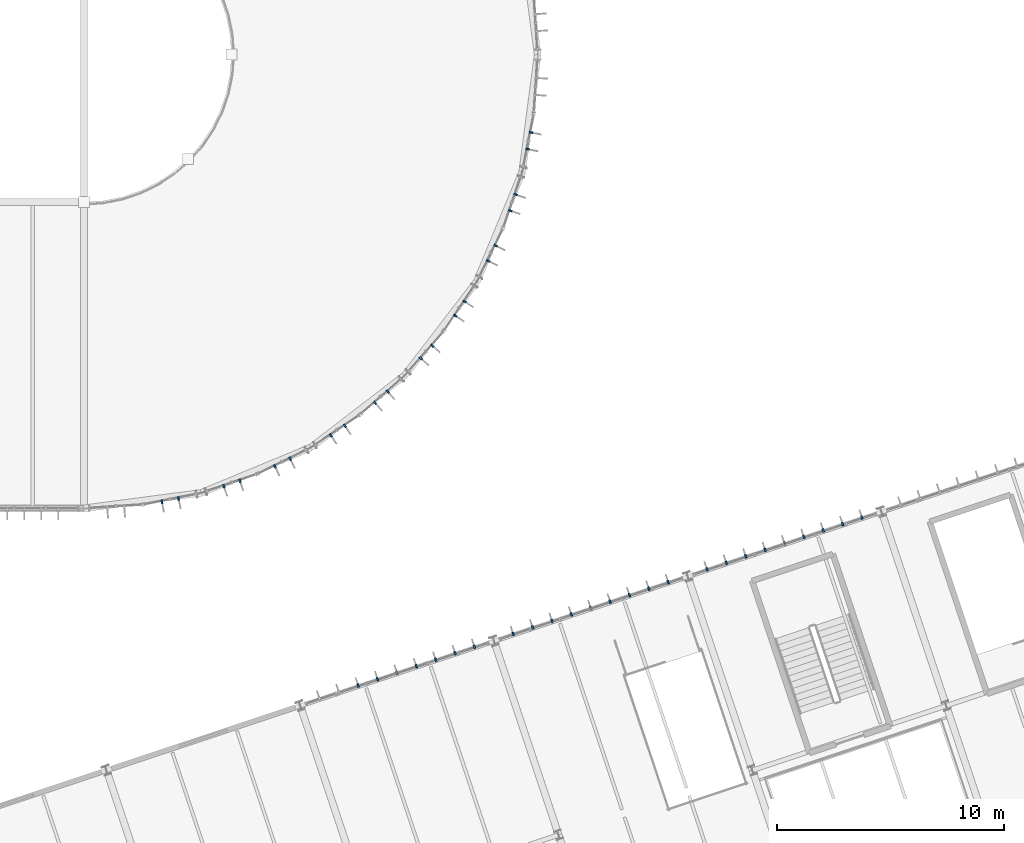
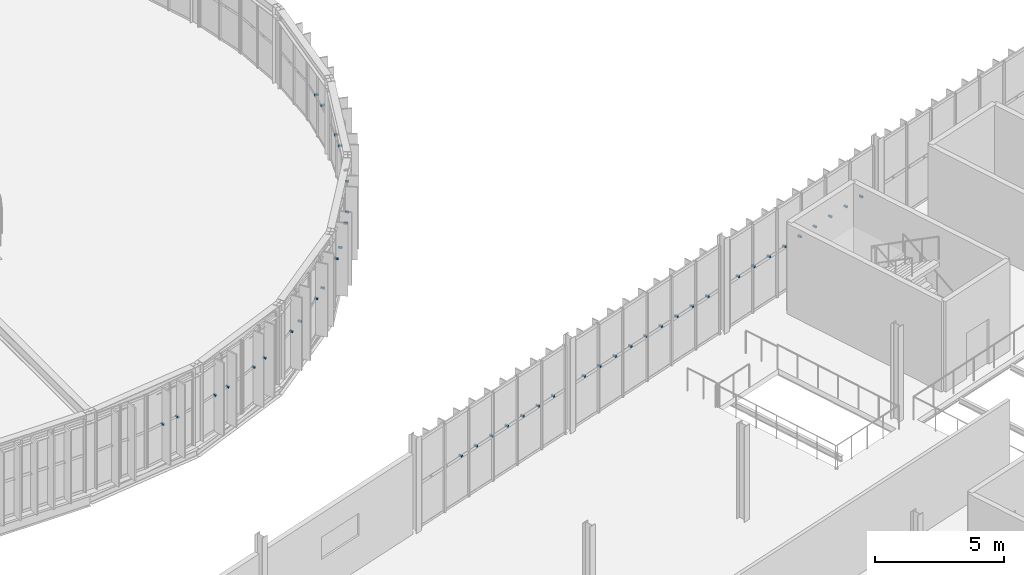
# One storey, part 132 of 152: 45 discrete accessories.
"""IFC4 building model written with IfcOpenShell, lengths in metres."""

from ifc_helpers import new_model, si_unit, derived_unit, direction, frame, origin, origin_2d, place, context, subcontext, project, spatial, rectangle, extrude, material, type_object, element, save


model = new_model("IFC4")

# Units and contexts
model_context = context("Model", 3, precision=1e-05, world=origin(), true_north=direction((0.0, 1.0)))
body_context = subcontext(model_context, "Body", "Model", "MODEL_VIEW")
ifc_project = project(units=[si_unit("LENGTHUNIT", "METRE"), si_unit("AREAUNIT", "SQUARE_METRE"), si_unit("VOLUMEUNIT", "CUBIC_METRE"), si_unit("PLANEANGLEUNIT", "RADIAN"), si_unit("MASSUNIT", "GRAM", prefix="KILO"), si_unit("THERMODYNAMICTEMPERATUREUNIT", "KELVIN"), si_unit("TIMEUNIT", "SECOND"), derived_unit("THERMALTRANSMITTANCEUNIT", [(si_unit("MASSUNIT", "GRAM", prefix="KILO"), 1), (si_unit("THERMODYNAMICTEMPERATUREUNIT", "KELVIN"), -1), (si_unit("TIMEUNIT", "SECOND"), -3)])], contexts=[model_context])

# Site, building, storey
site_placement = place(None, origin())
site = spatial("IfcSite", under=ifc_project, at=site_placement, CompositionType="ELEMENT")
building_placement = place(site_placement, origin())
building = spatial("IfcBuilding", under=site, at=building_placement, Name="Cambertide Market Hall", CompositionType="ELEMENT")
storey_placement = place(building_placement, frame((0.0, 0.0, 5.39990234375)))
storey = spatial("IfcBuildingStorey", under=building, at=storey_placement, Name="L02", CompositionType="ELEMENT", Elevation=5.39990234375)

# Discrete accessories
ifc_material = material(Name="Stainless Steel Grade 316", Category="metal")
discrete_accessory_type = type_object("IfcDiscreteAccessoryType", Name="Stainless Fin Outrigger Tie Bracket", PredefinedType="BRACKET", material=ifc_material)
for number, where, z_axis, x_axis, name in (
    (1, (109.1708984375, 52.440673828125, 1.68505859375), (0.0, 0.0, 1.0), (-0.980785330885, -0.195090068226, 0.0), "CW-V1AE-L02-02 Fin Tie Bracket 1"),
    (2, (108.435302734375, 52.29443359375, 1.68505859375), (0.0, 0.0, 1.0), (-0.980785330885, -0.195090068226, 0.0), "CW-V1AE-L02-02 Fin Tie Bracket 2"),
    (3, (111.877685546875, 53.216796875, 1.68505859375), (0.0, 0.0, 1.0), (-0.94693012508, -0.32143947831, 0.0), "CW-V1AE-L02-03 Fin Tie Bracket 1"),
    (4, (111.16748046875, 52.9755859375, 1.68505859375), (0.0, 0.0, 1.0), (-0.94693012508, -0.32143947831, 0.0), "CW-V1AE-L02-03 Fin Tie Bracket 2"),
    (5, (114.091064453125, 54.186767578125, 1.68505859375), (0.0, 0.0, 1.0), (-0.896872650645, -0.442288874522, 0.0), "CW-V1AE-L02-04 Fin Tie Bracket 1"),
    (6, (113.41845703125, 53.85498046875, 1.68505859375), (0.0, 0.0, 1.0), (-0.896872650645, -0.442288874522, 0.0), "CW-V1AE-L02-04 Fin Tie Bracket 2"),
    (7, (116.5048828125, 55.636962890625, 1.68505859375), (0.0, 0.0, 1.0), (-0.831469709481, -0.555570087582, 0.0), "CW-V1AE-L02-05 Fin Tie Bracket 1"),
    (8, (115.881103515625, 55.22021484375, 1.68505859375), (0.0, 0.0, 1.0), (-0.831469709481, -0.555570087582, 0.0), "CW-V1AE-L02-05 Fin Tie Bracket 2"),
    (9, (118.391845703125, 57.146728515625, 1.68505859375), (0.0, 0.0, 1.0), (-0.751839834741, -0.659345784014, 0.0), "CW-V1AE-L02-06 Fin Tie Bracket 1"),
    (10, (117.827880859375, 56.652099609375, 1.68505859375), (0.0, 0.0, 1.0), (-0.751839834741, -0.659345784014, 0.0), "CW-V1AE-L02-06 Fin Tie Bracket 2"),
    (11, (120.347900390625, 59.172119140625, 1.68505859375), (0.0, 0.0, 1.0), (-0.659345784014, -0.751839834741, 0.0), "CW-V1AE-L02-07 Fin Tie Bracket 1"),
    (12, (119.853271484375, 58.608154296875, 1.68505859375), (0.0, 0.0, 1.0), (-0.659345784014, -0.751839834741, 0.0), "CW-V1AE-L02-07 Fin Tie Bracket 2"),
    (13, (121.77978515625, 61.118896484375, 1.68505859375), (0.0, 0.0, 1.0), (-0.555570087582, -0.831469709481, 0.0), "CW-V1AE-L02-08 Fin Tie Bracket 1"),
    (14, (121.363037109375, 60.4951171875, 1.68505859375), (0.0, 0.0, 1.0), (-0.555570087582, -0.831469709481, 0.0), "CW-V1AE-L02-08 Fin Tie Bracket 2"),
    (15, (123.14501953125, 63.58154296875, 1.68505859375), (0.0, 0.0, 1.0), (-0.442288874522, -0.896872650645, 0.0), "CW-V1AE-L02-09 Fin Tie Bracket 1"),
    (16, (122.813232421875, 62.908935546875, 1.68505859375), (0.0, 0.0, 1.0), (-0.442288874522, -0.896872650645, 0.0), "CW-V1AE-L02-09 Fin Tie Bracket 2"),
    (17, (124.0244140625, 65.83251953125, 1.68505859375), (0.0, 0.0, 1.0), (-0.32143947831, -0.94693012508, 0.0), "CW-V1AE-L02-10 Fin Tie Bracket 1"),
    (18, (123.783203125, 65.122314453125, 1.68505859375), (0.0, 0.0, 1.0), (-0.32143947831, -0.94693012508, 0.0), "CW-V1AE-L02-10 Fin Tie Bracket 2"),
    (19, (124.70556640625, 68.564697265625, 1.68505859375), (0.0, 0.0, 1.0), (-0.195090068226, -0.980785330885, 0.0), "CW-V1AE-L02-11 Fin Tie Bracket 1"),
    (20, (124.559326171875, 67.8291015625, 1.68505859375), (0.0, 0.0, 1.0), (-0.195090068226, -0.980785330885, 0.0), "CW-V1AE-L02-11 Fin Tie Bracket 2"),
    (21, (117.0869140625, 44.1982421875, 2.06005859375), (0.0, 0.0, 1.0), (0.948683274577, 0.316227836438, 0.0), "CW-V3N-L02-3 Fin Tie Bracket 3"),
    (22, (117.940673828125, 44.48291015625, 2.06005859375), (0.0, 0.0, 1.0), (0.948683274577, 0.316227836438, 0.0), "CW-V3N-L02-3 Fin Tie Bracket 4"),
    (23, (118.794677734375, 44.767578125, 2.06005859375), (0.0, 0.0, 1.0), (0.948683274577, 0.316227836438, 0.0), "CW-V3N-L02-3 Fin Tie Bracket 5"),
    (24, (119.6484375, 45.05224609375, 2.06005859375), (0.0, 0.0, 1.0), (0.948683274577, 0.316227836438, 0.0), "CW-V3N-L02-3 Fin Tie Bracket 6"),
    (25, (120.502197265625, 45.336669921875, 2.06005859375), (0.0, 0.0, 1.0), (0.948683274577, 0.316227836438, 0.0), "CW-V3N-L02-3 Fin Tie Bracket 7"),
    (26, (121.35595703125, 45.621337890625, 2.06005859375), (0.0, 0.0, 1.0), (0.948683274577, 0.316227836438, 0.0), "CW-V3N-L02-3 Fin Tie Bracket 8"),
    (27, (122.209716796875, 45.906005859375, 2.06005859375), (0.0, 0.0, 1.0), (0.948683274577, 0.316227836438, 0.0), "CW-V3N-L02-3 Fin Tie Bracket 9"),
    (28, (123.91748046875, 46.47509765625, 2.06005859375), (0.0, 0.0, 1.0), (0.948683286311, 0.316227801236, 0.0), "CW-V3N-L02-4 Fin Tie Bracket 1"),
    (29, (124.771240234375, 46.759765625, 2.06005859375), (0.0, 0.0, 1.0), (0.948683286311, 0.316227801236, 0.0), "CW-V3N-L02-4 Fin Tie Bracket 2"),
    (30, (125.625, 47.04443359375, 2.06005859375), (0.0, 0.0, 1.0), (0.948683286311, 0.316227801236, 0.0), "CW-V3N-L02-4 Fin Tie Bracket 3"),
    (31, (126.47900390625, 47.328857421875, 2.06005859375), (0.0, 0.0, 1.0), (0.948683286311, 0.316227801236, 0.0), "CW-V3N-L02-4 Fin Tie Bracket 4"),
    (32, (127.332763671875, 47.613525390625, 2.06005859375), (0.0, 0.0, 1.0), (0.948683286311, 0.316227801236, 0.0), "CW-V3N-L02-4 Fin Tie Bracket 5"),
    (33, (128.1865234375, 47.898193359375, 2.06005859375), (0.0, 0.0, 1.0), (0.948683286311, 0.316227801236, 0.0), "CW-V3N-L02-4 Fin Tie Bracket 6"),
    (34, (129.040283203125, 48.182861328125, 2.06005859375), (0.0, 0.0, 1.0), (0.948683286311, 0.316227801236, 0.0), "CW-V3N-L02-4 Fin Tie Bracket 7"),
    (35, (129.894287109375, 48.46728515625, 2.06005859375), (0.0, 0.0, 1.0), (0.948683286311, 0.316227801236, 0.0), "CW-V3N-L02-4 Fin Tie Bracket 8"),
    (36, (130.748046875, 48.751953125, 2.06005859375), (0.0, 0.0, 1.0), (0.948683286311, 0.316227801236, 0.0), "CW-V3N-L02-4 Fin Tie Bracket 9"),
    (37, (132.45556640625, 49.3212890625, 2.06005859375), (0.0, 0.0, 1.0), (0.948683286311, 0.316227801236, 0.0), "CW-V3N-L02-5 Fin Tie Bracket 1"),
    (38, (133.309326171875, 49.605712890625, 2.06005859375), (0.0, 0.0, 1.0), (0.948683286311, 0.316227801236, 0.0), "CW-V3N-L02-5 Fin Tie Bracket 2"),
    (39, (134.163330078125, 49.890380859375, 2.06005859375), (0.0, 0.0, 1.0), (0.948683286311, 0.316227801236, 0.0), "CW-V3N-L02-5 Fin Tie Bracket 3"),
    (40, (135.01708984375, 50.175048828125, 2.06005859375), (0.0, 0.0, 1.0), (0.948683286311, 0.316227801236, 0.0), "CW-V3N-L02-5 Fin Tie Bracket 4"),
    (41, (135.870849609375, 50.459716796875, 2.06005859375), (0.0, 0.0, 1.0), (0.948683286311, 0.316227801236, 0.0), "CW-V3N-L02-5 Fin Tie Bracket 5"),
    (42, (136.724609375, 50.744140625, 2.06005859375), (0.0, 0.0, 1.0), (0.948683286311, 0.316227801236, 0.0), "CW-V3N-L02-5 Fin Tie Bracket 6"),
    (43, (137.57861328125, 51.02880859375, 2.06005859375), (0.0, 0.0, 1.0), (0.948683286311, 0.316227801236, 0.0), "CW-V3N-L02-5 Fin Tie Bracket 7"),
    (44, (138.432373046875, 51.3134765625, 2.06005859375), (0.0, 0.0, 1.0), (0.948683286311, 0.316227801236, 0.0), "CW-V3N-L02-5 Fin Tie Bracket 8"),
    (45, (139.2861328125, 51.59814453125, 2.06005859375), (0.0, 0.0, 1.0), (0.948683286311, 0.316227801236, 0.0), "CW-V3N-L02-5 Fin Tie Bracket 9"),
):
    element("IfcDiscreteAccessory", number, at=place(storey_placement, frame(where, z_axis=z_axis, x_axis=x_axis)), inside=storey, type_object=discrete_accessory_type, Name=name, PredefinedType="BRACKET", context=body_context, shape_type="SweptSolid", body=[
        extrude(rectangle(XDim=0.080078125, YDim=0.159912109375, at=origin_2d()), origin(), (0.0, 0.0, 1.0), 0.080078125),
    ])

save(model, "model.ifc")
